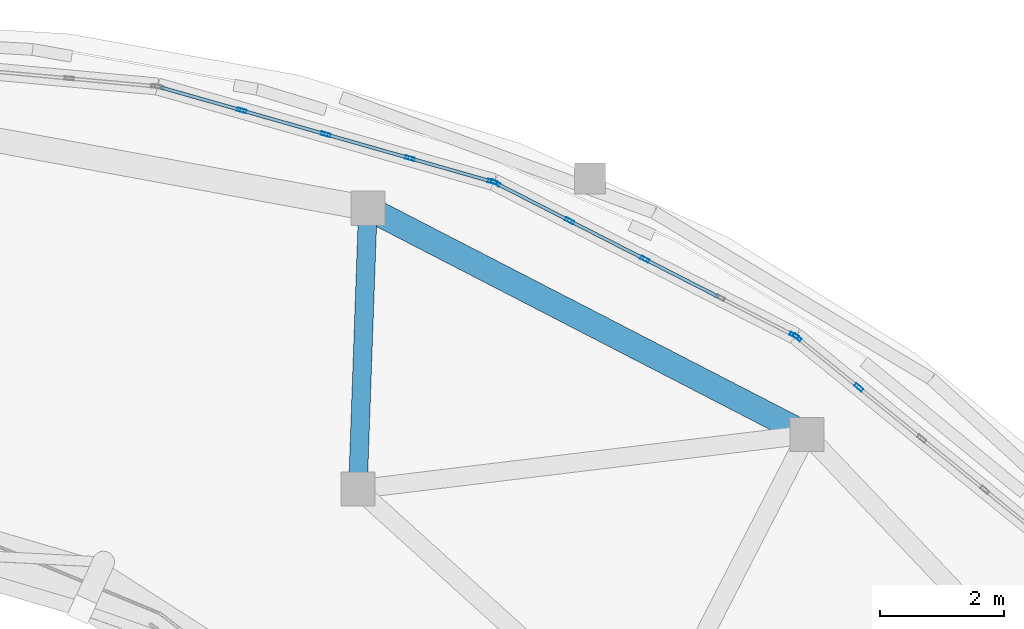
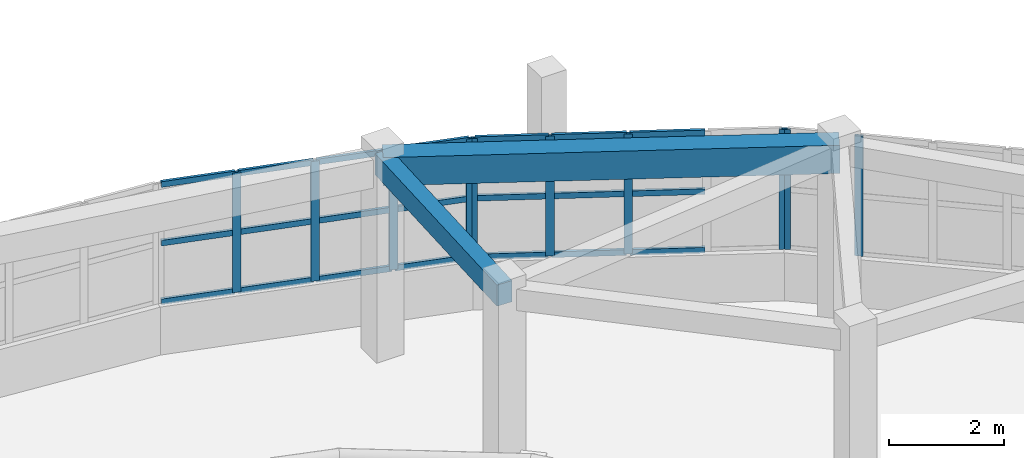
# One storey, part 26 of 46: 31 members, 2 beams, 3 elements without a shape of their own.
"""IFC4 building model written with IfcOpenShell, lengths in metres."""

from ifc_helpers import new_model, si_unit, direction, frame, origin, origin_2d, place, context, subcontext, project, spatial, rectangle, hollow_rectangle, extrude, material, layer, layer_set, material_profile, profile_set, type_object, element, aggregate, save


model = new_model("IFC4")

# Units and contexts
model_context = context("Model", 3, precision=1e-05, world=origin(), true_north=direction((0.0, 1.0)))
body_context = subcontext(model_context, "Body", "Model", "MODEL_VIEW")
ifc_project = project(units=[si_unit("LENGTHUNIT", "METRE"), si_unit("AREAUNIT", "SQUARE_METRE"), si_unit("VOLUMEUNIT", "CUBIC_METRE"), si_unit("PLANEANGLEUNIT", "RADIAN"), si_unit("MASSUNIT", "GRAM", prefix="KILO")], contexts=[model_context])

# Site, building, storey
site_placement = place(None, origin())
site = spatial("IfcSite", under=ifc_project, at=site_placement, CompositionType="ELEMENT")
building_placement = place(site_placement, origin())
building = spatial("IfcBuilding", under=site, at=building_placement, Name="Pelvatis Terrace Science Centre", CompositionType="ELEMENT")
storey_placement = place(building_placement, frame((0.0, 0.0, 19.800048828125)))
storey = spatial("IfcBuildingStorey", under=building, at=storey_placement, Name="L04", CompositionType="ELEMENT", Elevation=19.800048828125)

# Beams
ifc_material_1 = material(Name="Concrete C35/45", Category="concrete")
ifc_material_profile_1 = material_profile(ifc_material_1, rectangle(XDim=0.300048828125, YDim=0.449951171875, at=origin_2d()), Name="RC-BM 300x450")
ifc_profile_set_1 = profile_set([ifc_material_profile_1], Name="Concrete C35/45")
beam_type_1 = type_object("IfcBeamType", Name="BM-RC-300x450", PredefinedType="BEAM", material=ifc_profile_set_1)
beam_1_placement = place(storey_placement, frame((118.69482421875, 102.9658203125, 4.02490234375), z_axis=(-0.035566590656, -0.999367308665, 0.0), x_axis=(0.999367308665, -0.035566590656, 0.0)))
element("IfcBeam", 1, at=beam_1_placement, inside=storey, type_object=beam_type_1, Name="Beam BM-L04-3082", PredefinedType="BEAM", context=body_context, shape_type="SweptSolid", body=[
    extrude(rectangle(XDim=0.300048828125, YDim=0.449951171875, at=origin_2d()), origin(), (0.0, 0.0, 1.0), 4.530517578125),
])
ifc_material_2 = material(Name="Concrete C35/45", Category="concrete")
ifc_material_profile_2 = material_profile(ifc_material_2, rectangle(XDim=0.39990234375, YDim=0.60009765625, at=origin_2d()), Name="RC-BM 400x600")
ifc_profile_set_2 = profile_set([ifc_material_profile_2], Name="Concrete C35/45")
beam_type_2 = type_object("IfcBeamType", Name="BM-RC-400x600", PredefinedType="BEAM", material=ifc_profile_set_2)
beam_2_placement = place(storey_placement, frame((125.772705078125, 99.315185546875, 3.949951171875), z_axis=(-0.888746773827, 0.458398486049, 0.0), x_axis=(-0.458398486049, -0.888746773827, 0.0)))
element("IfcBeam", 2, at=beam_2_placement, inside=storey, type_object=beam_type_2, Name="Beam BM-L04-3078", PredefinedType="BEAM", context=body_context, shape_type="SweptSolid", body=[
    extrude(rectangle(XDim=0.39990234375, YDim=0.60009765625, at=origin_2d()), origin(), (0.0, 0.0, 1.0), 7.9638671875),
])

# Curtain wall, members
ifc_material_3 = material(Name="Bronze-anodised aluminium and laminated glass", Category="aluminium")
ifc_layer = layer(ifc_material_3, 0.14990234375)
ifc_layer_set = layer_set([ifc_layer], Name="Bronze-anodised aluminium and laminated glass")
curtain_wall_type = type_object("IfcCurtainWallType", Name="CW-PASSAGE-C", PredefinedType="NOTDEFINED", material=ifc_layer_set)
curtain_wall_1_placement = place(storey_placement, origin())
curtain_wall_1 = element("IfcCurtainWall", 3, at=curtain_wall_1_placement, inside=storey, type_object=curtain_wall_type, Name="Ribbon curtain wall CW-214 (L04)", PredefinedType="NOTDEFINED")
ifc_material_4 = material(Name="Bronze-anodised aluminium 6063-T6", Category="aluminium")
ifc_material_profile_3 = material_profile(ifc_material_4, hollow_rectangle(XDim=0.054931640625, YDim=0.14990234375, WallThickness=0.00390625, at=origin_2d()), Name="ALU-MUL 55x150")
ifc_profile_set_3 = profile_set([ifc_material_profile_3], Name="Bronze-anodised aluminium 6063-T6")
member_type_1 = type_object("IfcMemberType", Name="CWM-55x150", PredefinedType="MULLION", material=ifc_profile_set_3)
member_1_placement = place(storey_placement, frame((126.60791015625, 100.075927734375, 1.02001953125), z_axis=(0.0, 0.0, 1.0), x_axis=(-0.630757324963, -0.775980152456, 0.0)))
member_1 = element("IfcMember", 4, at=member_1_placement, type_object=member_type_1, Name="CW-214 mullion 4", PredefinedType="MULLION", context=body_context, shape_type="SweptSolid", body=[
    extrude(hollow_rectangle(XDim=0.054931640625, YDim=0.14990234375, WallThickness=0.00390625, at=origin_2d()), origin(), (0.0, 0.0, 1.0), 2.550048828125),
])
member_2_placement = place(storey_placement, frame((125.61376953125, 100.8837890625, 1.02001953125), z_axis=(0.0, 0.0, 1.0), x_axis=(-0.630757324963, -0.775980152456, 0.0)))
member_2 = element("IfcMember", 5, at=member_2_placement, type_object=member_type_1, Name="CW-214 mullion 5", PredefinedType="MULLION", context=body_context, shape_type="SweptSolid", body=[
    extrude(hollow_rectangle(XDim=0.054931640625, YDim=0.14990234375, WallThickness=0.00390625, at=origin_2d()), origin(), (0.0, 0.0, 1.0), 2.550048828125),
])
aggregate(curtain_wall_1, [member_1, member_2])

curtain_wall_2_placement = place(storey_placement, origin())
curtain_wall_2 = element("IfcCurtainWall", 6, at=curtain_wall_2_placement, inside=storey, type_object=curtain_wall_type, Name="Ribbon curtain wall CW-215 (L04)", PredefinedType="NOTDEFINED")
member_3_placement = place(storey_placement, frame((125.568115234375, 100.913818359375, 1.02001953125), z_axis=(0.0, 0.0, 1.0), x_axis=(-0.454858737992, -0.890563601587, 0.0)))
member_3 = element("IfcMember", 7, at=member_3_placement, type_object=member_type_1, Name="CW-215 mullion 1", PredefinedType="MULLION", context=body_context, shape_type="SweptSolid", body=[
    extrude(hollow_rectangle(XDim=0.054931640625, YDim=0.14990234375, WallThickness=0.00390625, at=origin_2d()), origin(), (0.0, 0.0, 1.0), 2.550048828125),
])
member_4_placement = place(storey_placement, frame((123.160888671875, 102.143310546875, 1.02001953125), z_axis=(0.0, 0.0, 1.0), x_axis=(-0.454858737992, -0.890563601587, 0.0)))
member_4 = element("IfcMember", 8, at=member_4_placement, type_object=member_type_1, Name="CW-215 mullion 3", PredefinedType="MULLION", context=body_context, shape_type="SweptSolid", body=[
    extrude(hollow_rectangle(XDim=0.054931640625, YDim=0.14990234375, WallThickness=0.00390625, at=origin_2d()), origin(), (0.0, 0.0, 1.0), 2.550048828125),
])
member_5_placement = place(storey_placement, frame((121.945068359375, 102.76416015625, 1.02001953125), z_axis=(0.0, 0.0, 1.0), x_axis=(-0.454858737992, -0.890563601587, 0.0)))
member_5 = element("IfcMember", 9, at=member_5_placement, type_object=member_type_1, Name="CW-215 mullion 4", PredefinedType="MULLION", context=body_context, shape_type="SweptSolid", body=[
    extrude(hollow_rectangle(XDim=0.054931640625, YDim=0.14990234375, WallThickness=0.00390625, at=origin_2d()), origin(), (0.0, 0.0, 1.0), 2.550048828125),
])
member_6_placement = place(storey_placement, frame((120.753662109375, 103.372802734375, 1.02001953125), z_axis=(0.0, 0.0, 1.0), x_axis=(-0.454858737992, -0.890563601587, 0.0)))
member_6 = element("IfcMember", 10, at=member_6_placement, type_object=member_type_1, Name="CW-215 mullion 5", PredefinedType="MULLION", context=body_context, shape_type="SweptSolid", body=[
    extrude(hollow_rectangle(XDim=0.054931640625, YDim=0.14990234375, WallThickness=0.00390625, at=origin_2d()), origin(), (0.0, 0.0, 1.0), 2.550048828125),
])

curtain_wall_3_placement = place(storey_placement, origin())
curtain_wall_3 = element("IfcCurtainWall", 11, at=curtain_wall_3_placement, inside=storey, type_object=curtain_wall_type, Name="Ribbon curtain wall CW-216 (L04)", PredefinedType="NOTDEFINED")
member_7_placement = place(storey_placement, frame((120.70263671875, 103.392822265625, 1.02001953125), z_axis=(0.0, 0.0, 1.0), x_axis=(-0.273577429116, -0.96184998325, 0.0)))
member_7 = element("IfcMember", 12, at=member_7_placement, type_object=member_type_1, Name="CW-216 mullion 1", PredefinedType="MULLION", context=body_context, shape_type="SweptSolid", body=[
    extrude(hollow_rectangle(XDim=0.054931640625, YDim=0.14990234375, WallThickness=0.00390625, at=origin_2d()), origin(), (0.0, 0.0, 1.0), 2.550048828125),
])
member_8_placement = place(storey_placement, frame((119.373779296875, 103.770751953125, 1.02001953125), z_axis=(0.0, 0.0, 1.0), x_axis=(-0.273577429116, -0.96184998325, 0.0)))
member_8 = element("IfcMember", 13, at=member_8_placement, type_object=member_type_1, Name="CW-216 mullion 2", PredefinedType="MULLION", context=body_context, shape_type="SweptSolid", body=[
    extrude(hollow_rectangle(XDim=0.054931640625, YDim=0.14990234375, WallThickness=0.00390625, at=origin_2d()), origin(), (0.0, 0.0, 1.0), 2.550048828125),
])
member_9_placement = place(storey_placement, frame((118.018310546875, 104.15625, 1.02001953125), z_axis=(0.0, 0.0, 1.0), x_axis=(-0.273577429116, -0.96184998325, 0.0)))
member_9 = element("IfcMember", 14, at=member_9_placement, type_object=member_type_1, Name="CW-216 mullion 3", PredefinedType="MULLION", context=body_context, shape_type="SweptSolid", body=[
    extrude(hollow_rectangle(XDim=0.054931640625, YDim=0.14990234375, WallThickness=0.00390625, at=origin_2d()), origin(), (0.0, 0.0, 1.0), 2.550048828125),
])
member_10_placement = place(storey_placement, frame((116.6630859375, 104.541748046875, 1.02001953125), z_axis=(0.0, 0.0, 1.0), x_axis=(-0.273577429116, -0.96184998325, 0.0)))
member_10 = element("IfcMember", 15, at=member_10_placement, type_object=member_type_1, Name="CW-216 mullion 4", PredefinedType="MULLION", context=body_context, shape_type="SweptSolid", body=[
    extrude(hollow_rectangle(XDim=0.054931640625, YDim=0.14990234375, WallThickness=0.00390625, at=origin_2d()), origin(), (0.0, 0.0, 1.0), 2.550048828125),
])

# Member
ifc_material_5 = material(Name="Bronze-anodised aluminium 6063-T6", Category="aluminium")
ifc_material_profile_4 = material_profile(ifc_material_5, hollow_rectangle(XDim=0.054931640625, YDim=0.1201171875, WallThickness=0.00341796875, at=origin_2d()), Name="ALU-TRN 55x120")
ifc_profile_set_4 = profile_set([ifc_material_profile_4], Name="Bronze-anodised aluminium 6063-T6")
member_type_2 = type_object("IfcMemberType", Name="CWT-55x120", PredefinedType="USERDEFINED", material=ifc_profile_set_4)
member_11_placement = place(storey_placement, frame((124.35205078125, 101.53466796875, 1.04736328125), z_axis=(-0.890555477647, 0.454874643427, 0.0), x_axis=(-0.454874643427, -0.890555477647, 0.0)))
member_11 = element("IfcMember", 16, at=member_11_placement, type_object=member_type_2, Name="CW-215 transom 2.1", ObjectType="TRANSOM", PredefinedType="USERDEFINED", context=body_context, shape_type="SweptSolid", body=[
    extrude(hollow_rectangle(XDim=0.054931640625, YDim=0.1201171875, WallThickness=0.00341796875, at=origin_2d()), origin(), (0.0, 0.0, 1.0), 1.31005859375),
])

member_12_placement = place(storey_placement, frame((124.35205078125, 101.53466796875, 2.294921875), z_axis=(-0.890555477647, 0.454874643427, 0.0), x_axis=(-0.454874643427, -0.890555477647, 0.0)))
member_12 = element("IfcMember", 17, at=member_12_placement, type_object=member_type_2, Name="CW-215 transom 2.2", ObjectType="TRANSOM", PredefinedType="USERDEFINED", context=body_context, shape_type="SweptSolid", body=[
    extrude(hollow_rectangle(XDim=0.054931640625, YDim=0.1201171875, WallThickness=0.00341796875, at=origin_2d()), origin(), (0.0, 0.0, 1.0), 1.31005859375),
])

member_13_placement = place(storey_placement, frame((124.35205078125, 101.53466796875, 3.54248046875), z_axis=(-0.890555477647, 0.454874643427, 0.0), x_axis=(-0.454874643427, -0.890555477647, 0.0)))
member_13 = element("IfcMember", 18, at=member_13_placement, type_object=member_type_2, Name="CW-215 transom 2.3", ObjectType="TRANSOM", PredefinedType="USERDEFINED", context=body_context, shape_type="SweptSolid", body=[
    extrude(hollow_rectangle(XDim=0.054931640625, YDim=0.1201171875, WallThickness=0.00341796875, at=origin_2d()), origin(), (0.0, 0.0, 1.0), 1.31005859375),
])

member_14_placement = place(storey_placement, frame((123.13623046875, 102.15576171875, 1.04736328125), z_axis=(-0.890555477647, 0.454874643427, 0.0), x_axis=(-0.454874643427, -0.890555477647, 0.0)))
member_14 = element("IfcMember", 19, at=member_14_placement, type_object=member_type_2, Name="CW-215 transom 3.1", ObjectType="TRANSOM", PredefinedType="USERDEFINED", context=body_context, shape_type="SweptSolid", body=[
    extrude(hollow_rectangle(XDim=0.054931640625, YDim=0.1201171875, WallThickness=0.00341796875, at=origin_2d()), origin(), (0.0, 0.0, 1.0), 1.31005859375),
])

member_15_placement = place(storey_placement, frame((123.13623046875, 102.15576171875, 2.294921875), z_axis=(-0.890555477647, 0.454874643427, 0.0), x_axis=(-0.454874643427, -0.890555477647, 0.0)))
member_15 = element("IfcMember", 20, at=member_15_placement, type_object=member_type_2, Name="CW-215 transom 3.2", ObjectType="TRANSOM", PredefinedType="USERDEFINED", context=body_context, shape_type="SweptSolid", body=[
    extrude(hollow_rectangle(XDim=0.054931640625, YDim=0.1201171875, WallThickness=0.00341796875, at=origin_2d()), origin(), (0.0, 0.0, 1.0), 1.31005859375),
])

member_16_placement = place(storey_placement, frame((123.13623046875, 102.15576171875, 3.54248046875), z_axis=(-0.890555477647, 0.454874643427, 0.0), x_axis=(-0.454874643427, -0.890555477647, 0.0)))
member_16 = element("IfcMember", 21, at=member_16_placement, type_object=member_type_2, Name="CW-215 transom 3.3", ObjectType="TRANSOM", PredefinedType="USERDEFINED", context=body_context, shape_type="SweptSolid", body=[
    extrude(hollow_rectangle(XDim=0.054931640625, YDim=0.1201171875, WallThickness=0.00341796875, at=origin_2d()), origin(), (0.0, 0.0, 1.0), 1.31005859375),
])

member_17_placement = place(storey_placement, frame((121.92041015625, 102.776611328125, 1.04736328125), z_axis=(-0.89054949215, 0.454886361667, 0.0), x_axis=(-0.454886361667, -0.89054949215, 0.0)))
member_17 = element("IfcMember", 22, at=member_17_placement, type_object=member_type_2, Name="CW-215 transom 4.1", ObjectType="TRANSOM", PredefinedType="USERDEFINED", context=body_context, shape_type="SweptSolid", body=[
    extrude(hollow_rectangle(XDim=0.054931640625, YDim=0.1201171875, WallThickness=0.00341796875, at=origin_2d()), origin(), (0.0, 0.0, 1.0), 1.28271484375),
])

member_18_placement = place(storey_placement, frame((121.92041015625, 102.776611328125, 2.294921875), z_axis=(-0.89054949215, 0.454886361667, 0.0), x_axis=(-0.454886361667, -0.89054949215, 0.0)))
member_18 = element("IfcMember", 23, at=member_18_placement, type_object=member_type_2, Name="CW-215 transom 4.2", ObjectType="TRANSOM", PredefinedType="USERDEFINED", context=body_context, shape_type="SweptSolid", body=[
    extrude(hollow_rectangle(XDim=0.054931640625, YDim=0.1201171875, WallThickness=0.00341796875, at=origin_2d()), origin(), (0.0, 0.0, 1.0), 1.28271484375),
])

member_19_placement = place(storey_placement, frame((121.92041015625, 102.776611328125, 3.54248046875), z_axis=(-0.89054949215, 0.454886361667, 0.0), x_axis=(-0.454886361667, -0.89054949215, 0.0)))
member_19 = element("IfcMember", 24, at=member_19_placement, type_object=member_type_2, Name="CW-215 transom 4.3", ObjectType="TRANSOM", PredefinedType="USERDEFINED", context=body_context, shape_type="SweptSolid", body=[
    extrude(hollow_rectangle(XDim=0.054931640625, YDim=0.1201171875, WallThickness=0.00341796875, at=origin_2d()), origin(), (0.0, 0.0, 1.0), 1.28271484375),
])

aggregate(curtain_wall_2, [member_3, member_4, member_5, member_6, member_11, member_12, member_13, member_14, member_15, member_16, member_17, member_18, member_19])

member_20_placement = place(storey_placement, frame((120.67626953125, 103.400146484375, 1.04736328125), z_axis=(-0.961835800518, 0.27362728819, 0.0), x_axis=(-0.27362728819, -0.961835800518, 0.0)))
member_20 = element("IfcMember", 25, at=member_20_placement, type_object=member_type_2, Name="CW-216 transom 1.1", ObjectType="TRANSOM", PredefinedType="USERDEFINED", context=body_context, shape_type="SweptSolid", body=[
    extrude(hollow_rectangle(XDim=0.054931640625, YDim=0.1201171875, WallThickness=0.00341796875, at=origin_2d()), origin(), (0.0, 0.0, 1.0), 1.32666015625),
])

member_21_placement = place(storey_placement, frame((120.67626953125, 103.400146484375, 2.294921875), z_axis=(-0.961835800518, 0.27362728819, 0.0), x_axis=(-0.27362728819, -0.961835800518, 0.0)))
member_21 = element("IfcMember", 26, at=member_21_placement, type_object=member_type_2, Name="CW-216 transom 1.2", ObjectType="TRANSOM", PredefinedType="USERDEFINED", context=body_context, shape_type="SweptSolid", body=[
    extrude(hollow_rectangle(XDim=0.054931640625, YDim=0.1201171875, WallThickness=0.00341796875, at=origin_2d()), origin(), (0.0, 0.0, 1.0), 1.32666015625),
])

member_22_placement = place(storey_placement, frame((120.67626953125, 103.400146484375, 3.54248046875), z_axis=(-0.961835800518, 0.27362728819, 0.0), x_axis=(-0.27362728819, -0.961835800518, 0.0)))
member_22 = element("IfcMember", 27, at=member_22_placement, type_object=member_type_2, Name="CW-216 transom 1.3", ObjectType="TRANSOM", PredefinedType="USERDEFINED", context=body_context, shape_type="SweptSolid", body=[
    extrude(hollow_rectangle(XDim=0.054931640625, YDim=0.1201171875, WallThickness=0.00341796875, at=origin_2d()), origin(), (0.0, 0.0, 1.0), 1.32666015625),
])

member_23_placement = place(storey_placement, frame((119.347412109375, 103.7783203125, 1.04736328125), z_axis=(-0.961870162214, 0.273506473492, 0.0), x_axis=(-0.273506473492, -0.961870162214, 0.0)))
member_23 = element("IfcMember", 28, at=member_23_placement, type_object=member_type_2, Name="CW-216 transom 2.1", ObjectType="TRANSOM", PredefinedType="USERDEFINED", context=body_context, shape_type="SweptSolid", body=[
    extrude(hollow_rectangle(XDim=0.054931640625, YDim=0.1201171875, WallThickness=0.00341796875, at=origin_2d()), origin(), (0.0, 0.0, 1.0), 1.35400390625),
])

member_24_placement = place(storey_placement, frame((119.347412109375, 103.7783203125, 2.294921875), z_axis=(-0.961870162214, 0.273506473492, 0.0), x_axis=(-0.273506473492, -0.961870162214, 0.0)))
member_24 = element("IfcMember", 29, at=member_24_placement, type_object=member_type_2, Name="CW-216 transom 2.2", ObjectType="TRANSOM", PredefinedType="USERDEFINED", context=body_context, shape_type="SweptSolid", body=[
    extrude(hollow_rectangle(XDim=0.054931640625, YDim=0.1201171875, WallThickness=0.00341796875, at=origin_2d()), origin(), (0.0, 0.0, 1.0), 1.35400390625),
])

member_25_placement = place(storey_placement, frame((119.347412109375, 103.7783203125, 3.54248046875), z_axis=(-0.961870162214, 0.273506473492, 0.0), x_axis=(-0.273506473492, -0.961870162214, 0.0)))
member_25 = element("IfcMember", 30, at=member_25_placement, type_object=member_type_2, Name="CW-216 transom 2.3", ObjectType="TRANSOM", PredefinedType="USERDEFINED", context=body_context, shape_type="SweptSolid", body=[
    extrude(hollow_rectangle(XDim=0.054931640625, YDim=0.1201171875, WallThickness=0.00341796875, at=origin_2d()), origin(), (0.0, 0.0, 1.0), 1.35400390625),
])

member_26_placement = place(storey_placement, frame((117.991943359375, 104.163818359375, 1.04736328125), z_axis=(-0.961870162214, 0.273506473492, 0.0), x_axis=(-0.273506473492, -0.961870162214, 0.0)))
member_26 = element("IfcMember", 31, at=member_26_placement, type_object=member_type_2, Name="CW-216 transom 3.1", ObjectType="TRANSOM", PredefinedType="USERDEFINED", context=body_context, shape_type="SweptSolid", body=[
    extrude(hollow_rectangle(XDim=0.054931640625, YDim=0.1201171875, WallThickness=0.00341796875, at=origin_2d()), origin(), (0.0, 0.0, 1.0), 1.35400390625),
])

member_27_placement = place(storey_placement, frame((117.991943359375, 104.163818359375, 2.294921875), z_axis=(-0.961870162214, 0.273506473492, 0.0), x_axis=(-0.273506473492, -0.961870162214, 0.0)))
member_27 = element("IfcMember", 32, at=member_27_placement, type_object=member_type_2, Name="CW-216 transom 3.2", ObjectType="TRANSOM", PredefinedType="USERDEFINED", context=body_context, shape_type="SweptSolid", body=[
    extrude(hollow_rectangle(XDim=0.054931640625, YDim=0.1201171875, WallThickness=0.00341796875, at=origin_2d()), origin(), (0.0, 0.0, 1.0), 1.35400390625),
])

member_28_placement = place(storey_placement, frame((117.991943359375, 104.163818359375, 3.54248046875), z_axis=(-0.961870162214, 0.273506473492, 0.0), x_axis=(-0.273506473492, -0.961870162214, 0.0)))
member_28 = element("IfcMember", 33, at=member_28_placement, type_object=member_type_2, Name="CW-216 transom 3.3", ObjectType="TRANSOM", PredefinedType="USERDEFINED", context=body_context, shape_type="SweptSolid", body=[
    extrude(hollow_rectangle(XDim=0.054931640625, YDim=0.1201171875, WallThickness=0.00341796875, at=origin_2d()), origin(), (0.0, 0.0, 1.0), 1.35400390625),
])

member_29_placement = place(storey_placement, frame((116.63671875, 104.54931640625, 1.04736328125), z_axis=(-0.961884217255, 0.273457039763, 0.0), x_axis=(-0.273457039763, -0.961884217255, 0.0)))
member_29 = element("IfcMember", 34, at=member_29_placement, type_object=member_type_2, Name="CW-216 transom 4.1", ObjectType="TRANSOM", PredefinedType="USERDEFINED", context=body_context, shape_type="SweptSolid", body=[
    extrude(hollow_rectangle(XDim=0.054931640625, YDim=0.1201171875, WallThickness=0.00341796875, at=origin_2d()), origin(), (0.0, 0.0, 1.0), 1.32666015625),
])

member_30_placement = place(storey_placement, frame((116.63671875, 104.54931640625, 2.294921875), z_axis=(-0.961884217255, 0.273457039763, 0.0), x_axis=(-0.273457039763, -0.961884217255, 0.0)))
member_30 = element("IfcMember", 35, at=member_30_placement, type_object=member_type_2, Name="CW-216 transom 4.2", ObjectType="TRANSOM", PredefinedType="USERDEFINED", context=body_context, shape_type="SweptSolid", body=[
    extrude(hollow_rectangle(XDim=0.054931640625, YDim=0.1201171875, WallThickness=0.00341796875, at=origin_2d()), origin(), (0.0, 0.0, 1.0), 1.32666015625),
])

member_31_placement = place(storey_placement, frame((116.63671875, 104.54931640625, 3.54248046875), z_axis=(-0.961884217255, 0.273457039763, 0.0), x_axis=(-0.273457039763, -0.961884217255, 0.0)))
member_31 = element("IfcMember", 36, at=member_31_placement, type_object=member_type_2, Name="CW-216 transom 4.3", ObjectType="TRANSOM", PredefinedType="USERDEFINED", context=body_context, shape_type="SweptSolid", body=[
    extrude(hollow_rectangle(XDim=0.054931640625, YDim=0.1201171875, WallThickness=0.00341796875, at=origin_2d()), origin(), (0.0, 0.0, 1.0), 1.32666015625),
])

aggregate(curtain_wall_3, [member_7, member_8, member_9, member_10, member_20, member_21, member_22, member_23, member_24, member_25, member_26, member_27, member_28, member_29, member_30, member_31])

save(model, "model.ifc")
